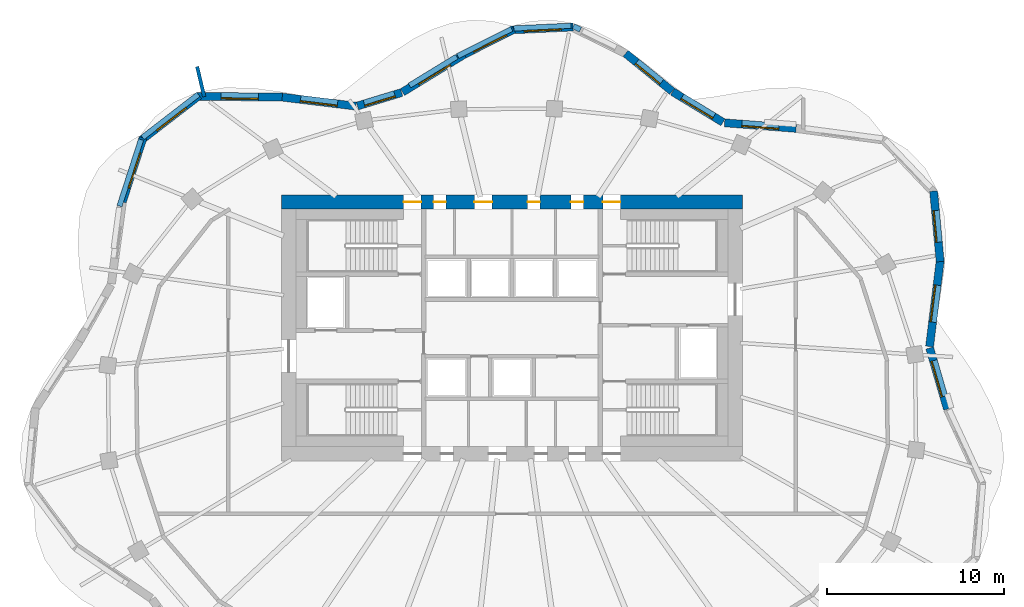
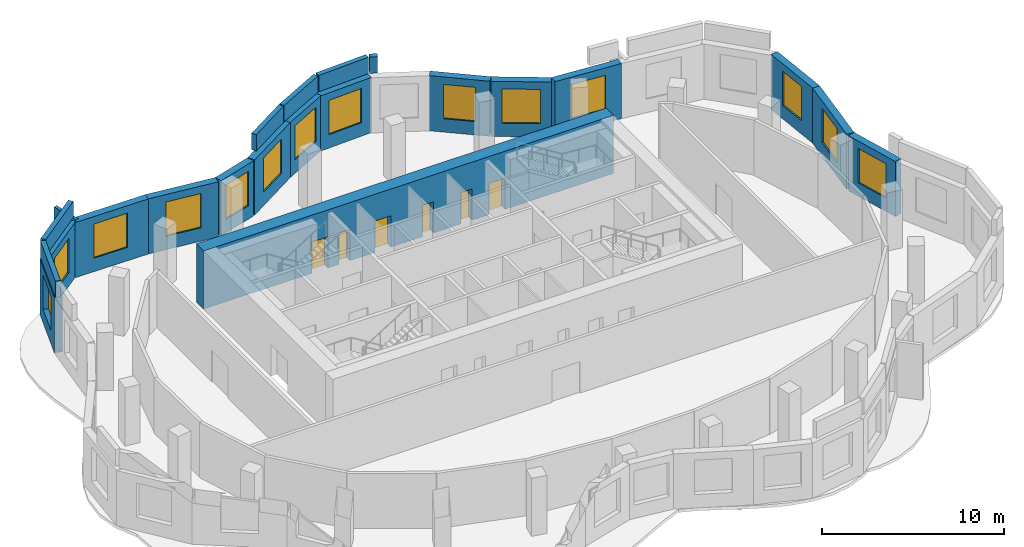
# One storey, part 6 of 8: 22 walls, 14 windows, 6 doors, 20 openings.
"""IFC4 building model written with IfcOpenShell, lengths in metres."""

from ifc_helpers import new_model, si_unit, direction, frame, frame_2d, origin, place, context, subcontext, project, spatial, rectangle, extrude, material, layer, layer_set, type_object, element, fill, save


model = new_model("IFC4")

# Units and contexts
model_context = context("Model", 3, precision=1e-05, world=origin(), true_north=direction((0.0, 1.0)))
body_context = subcontext(model_context, "Body", "Model", "MODEL_VIEW")
ifc_project = project(units=[si_unit("LENGTHUNIT", "METRE"), si_unit("AREAUNIT", "SQUARE_METRE"), si_unit("VOLUMEUNIT", "CUBIC_METRE"), si_unit("PLANEANGLEUNIT", "RADIAN"), si_unit("MASSUNIT", "GRAM", prefix="KILO")], contexts=[model_context])

# Site, building, storey
site_placement = place(None, origin())
site = spatial("IfcSite", under=ifc_project, at=site_placement, CompositionType="ELEMENT")
building_placement = place(site_placement, origin())
building = spatial("IfcBuilding", under=site, at=building_placement, Name="Rubra Terraces Tower", CompositionType="ELEMENT")
storey_placement = place(building_placement, frame((0.0, 0.0, 280.5)))
storey = spatial("IfcBuildingStorey", under=building, at=storey_placement, Name="L69", CompositionType="ELEMENT", Elevation=280.5)

# Wall, opening, window
ifc_material_1 = material(Name="Brick masonry red-brown", Category="masonry")
ifc_layer_1 = layer(ifc_material_1, 0.449951171875)
ifc_layer_set_1 = layer_set([ifc_layer_1], Name="Brick masonry red-brown")
wall_type_1 = type_object("IfcWallType", Name="Brick facade wall 450", PredefinedType="SOLIDWALL", material=ifc_layer_set_1)
wall_1_placement = place(storey_placement, frame((24.56689453125, -0.082275390625, 0.0), z_axis=(0.0, 0.0, 1.0), x_axis=(-0.279202919694, 0.960232122788, 0.0)))
wall_1 = element("IfcWall", 1, at=wall_1_placement, inside=storey, type_object=wall_type_1, Name="Facade wall L69 bay 1", PredefinedType="SOLIDWALL", context=body_context, shape_type="SweptSolid", body=[
    extrude(rectangle(XDim=3.587646484375, YDim=0.449951171875, at=frame_2d((1.7939453125, 0.0))), origin(), (0.0, 0.0, 1.0), 3.699951171875),
])
opening_1_placement = place(wall_1_placement, frame((0.743896484375, 0.0, 0.89990234375)))
opening_1 = element("IfcOpeningElement", 2, at=opening_1_placement, cuts=wall_1, Name="Opening W1B", PredefinedType="OPENING", context=body_context, shape_type="SweptSolid", body=[
    extrude(rectangle(XDim=2.10009765625, YDim=2.300048828125, at=frame_2d((1.050048828125, 1.14990234375))), frame((0.0, 0.23486328125, 0.0), z_axis=(0.0, -1.0, 0.0), x_axis=(1.0, 0.0, 0.0)), (0.0, 0.0, 1.0), 0.469970703125),
])
ifc_material_2 = material(Name="Clear glass in aluminium frame", Category="aluminium")
window_type_1 = type_object("IfcWindowType", Name="Fixed deep-set window tall storey 2100 x 2300", PartitioningType="SINGLE_PANEL", PredefinedType="WINDOW", material=ifc_material_2)
window_1_placement = place(opening_1_placement, origin())
window_1 = element("IfcWindow", 3, at=window_1_placement, inside=storey, type_object=window_type_1, Name="Window L69 bay 1", OverallHeight=2.300048828125, OverallWidth=2.10009765625, PartitioningType="SINGLE_PANEL", PredefinedType="WINDOW", context=body_context, shape_type="SweptSolid", body=[
    extrude(rectangle(XDim=2.10009765625, YDim=2.300048828125, at=frame_2d((1.050048828125, 1.14990234375))), frame((0.0, 0.135009765625, 0.0), z_axis=(0.0, -1.0, 0.0), x_axis=(1.0, 0.0, 0.0)), (0.0, 0.0, 1.0), 0.06005859375),
])
fill(opening_1, window_1)

wall_2_placement = place(storey_placement, frame((23.559814453125, 3.447021484375, 0.0), z_axis=(0.0, 0.0, 1.0), x_axis=(0.12231391248, 0.992491464353, 0.0)))
wall_2 = element("IfcWall", 4, at=wall_2_placement, inside=storey, type_object=wall_type_1, Name="Facade wall L69 bay 2", PredefinedType="SOLIDWALL", context=body_context, shape_type="SweptSolid", body=[
    extrude(rectangle(XDim=4.872314453125, YDim=0.449951171875, at=frame_2d((2.43603515625, 0.0))), origin(), (0.0, 0.0, 1.0), 3.699951171875),
])
opening_2_placement = place(wall_2_placement, frame((1.38623046875, 0.0, 0.89990234375)))
opening_2 = element("IfcOpeningElement", 5, at=opening_2_placement, cuts=wall_2, Name="Opening W1B", PredefinedType="OPENING", context=body_context, shape_type="SweptSolid", body=[
    extrude(rectangle(XDim=2.10009765625, YDim=2.300048828125, at=frame_2d((1.050048828125, 1.14990234375))), frame((0.0, 0.23486328125, 0.0), z_axis=(0.0, -1.0, 0.0), x_axis=(1.0, 0.0, 0.0)), (0.0, 0.0, 1.0), 0.469970703125),
])
window_2_placement = place(opening_2_placement, origin())
window_2 = element("IfcWindow", 6, at=window_2_placement, inside=storey, type_object=window_type_1, Name="Window L69 bay 2", OverallHeight=2.300048828125, OverallWidth=2.10009765625, PartitioningType="SINGLE_PANEL", PredefinedType="WINDOW", context=body_context, shape_type="SweptSolid", body=[
    extrude(rectangle(XDim=2.10009765625, YDim=2.300048828125, at=frame_2d((1.050048828125, 1.14990234375))), frame((0.0, 0.135009765625, 0.0), z_axis=(0.0, -1.0, 0.0), x_axis=(1.0, 0.0, 0.0)), (0.0, 0.0, 1.0), 0.06005859375),
])
fill(opening_2, window_2)

wall_3_placement = place(storey_placement, frame((24.155029296875, 8.234619140625, 0.0), z_axis=(0.0, 0.0, 1.0), x_axis=(-0.091874058945, 0.995770634882, 0.0)))
wall_3 = element("IfcWall", 7, at=wall_3_placement, inside=storey, type_object=wall_type_1, Name="Facade wall L69 bay 3", PredefinedType="SOLIDWALL", context=body_context, shape_type="SweptSolid", body=[
    extrude(rectangle(XDim=3.99658203125, YDim=0.449951171875, at=frame_2d((1.998291015625, 0.0))), origin(), (0.0, 0.0, 1.0), 3.699951171875),
])
opening_3_placement = place(wall_3_placement, frame((1.098388671875, 0.0, 0.89990234375)))
opening_3 = element("IfcOpeningElement", 8, at=opening_3_placement, cuts=wall_3, Name="Opening W6B", PredefinedType="OPENING", context=body_context, shape_type="SweptSolid", body=[
    extrude(rectangle(XDim=1.800048828125, YDim=2.300048828125, at=frame_2d((0.89990234375, 1.14990234375))), frame((0.0, 0.23486328125, 0.0), z_axis=(0.0, -1.0, 0.0), x_axis=(1.0, 0.0, 0.0)), (0.0, 0.0, 1.0), 0.469970703125),
])
window_type_2 = type_object("IfcWindowType", Name="Fixed deep-set window at wind fin tall storey 1800 x 2300", PartitioningType="SINGLE_PANEL", PredefinedType="WINDOW", material=ifc_material_2)
window_3_placement = place(opening_3_placement, origin())
window_3 = element("IfcWindow", 9, at=window_3_placement, inside=storey, type_object=window_type_2, Name="Window L69 bay 3", OverallHeight=2.300048828125, OverallWidth=1.800048828125, PartitioningType="SINGLE_PANEL", PredefinedType="WINDOW", context=body_context, shape_type="SweptSolid", body=[
    extrude(rectangle(XDim=1.800048828125, YDim=2.300048828125, at=frame_2d((0.89990234375, 1.14990234375))), frame((0.0, 0.135009765625, 0.0), z_axis=(0.0, -1.0, 0.0), x_axis=(1.0, 0.0, 0.0)), (0.0, 0.0, 1.0), 0.06005859375),
])
fill(opening_3, window_3)

wall_4_placement = place(storey_placement, frame((16.0302734375, 15.751953125, 0.0), z_axis=(0.0, 0.0, 1.0), x_axis=(-0.996967628157, 0.077817404267, 0.0)))
wall_4 = element("IfcWall", 10, at=wall_4_placement, inside=storey, type_object=wall_type_1, Name="Facade wall L69 bay 6", PredefinedType="SOLIDWALL", context=body_context, shape_type="SweptSolid", body=[
    extrude(rectangle(XDim=4.047119140625, YDim=0.449951171875, at=frame_2d((2.0234375, 0.0))), origin(), (0.0, 0.0, 1.0), 3.699951171875),
])
opening_4_placement = place(wall_4_placement, frame((0.9736328125, 0.0, 0.89990234375)))
opening_4 = element("IfcOpeningElement", 11, at=opening_4_placement, cuts=wall_4, Name="Opening W1B", PredefinedType="OPENING", context=body_context, shape_type="SweptSolid", body=[
    extrude(rectangle(XDim=2.10009765625, YDim=2.300048828125, at=frame_2d((1.050048828125, 1.14990234375))), frame((0.0, 0.23486328125, 0.0), z_axis=(0.0, -1.0, 0.0), x_axis=(1.0, 0.0, 0.0)), (0.0, 0.0, 1.0), 0.469970703125),
])
window_4_placement = place(opening_4_placement, origin())
window_4 = element("IfcWindow", 12, at=window_4_placement, inside=storey, type_object=window_type_1, Name="Window L69 bay 6", OverallHeight=2.300048828125, OverallWidth=2.10009765625, PartitioningType="SINGLE_PANEL", PredefinedType="WINDOW", context=body_context, shape_type="SweptSolid", body=[
    extrude(rectangle(XDim=2.10009765625, YDim=2.300048828125, at=frame_2d((1.050048828125, 1.14990234375))), frame((0.0, 0.135009765625, 0.0), z_axis=(0.0, -1.0, 0.0), x_axis=(1.0, 0.0, 0.0)), (0.0, 0.0, 1.0), 0.06005859375),
])
fill(opening_4, window_4)

wall_5_placement = place(storey_placement, frame((11.904541015625, 16.09619140625, 0.0), z_axis=(0.0, 0.0, 1.0), x_axis=(-0.854609476155, 0.519271261738, 0.0)))
wall_5 = element("IfcWall", 13, at=wall_5_placement, inside=storey, type_object=wall_type_1, Name="Facade wall L69 bay 7", PredefinedType="SOLIDWALL", context=body_context, shape_type="SweptSolid", body=[
    extrude(rectangle(XDim=3.324951171875, YDim=0.449951171875, at=frame_2d((1.66259765625, 0.0))), origin(), (0.0, 0.0, 1.0), 3.699951171875),
])
opening_5_placement = place(wall_5_placement, frame((0.6123046875, 0.0, 0.89990234375)))
opening_5 = element("IfcOpeningElement", 14, at=opening_5_placement, cuts=wall_5, Name="Opening W1B", PredefinedType="OPENING", context=body_context, shape_type="SweptSolid", body=[
    extrude(rectangle(XDim=2.10009765625, YDim=2.300048828125, at=frame_2d((1.050048828125, 1.14990234375))), frame((0.0, 0.23486328125, 0.0), z_axis=(0.0, -1.0, 0.0), x_axis=(1.0, 0.0, 0.0)), (0.0, 0.0, 1.0), 0.469970703125),
])
window_5_placement = place(opening_5_placement, origin())
window_5 = element("IfcWindow", 15, at=window_5_placement, inside=storey, type_object=window_type_1, Name="Window L69 bay 7", OverallHeight=2.300048828125, OverallWidth=2.10009765625, PartitioningType="SINGLE_PANEL", PredefinedType="WINDOW", context=body_context, shape_type="SweptSolid", body=[
    extrude(rectangle(XDim=2.10009765625, YDim=2.300048828125, at=frame_2d((1.050048828125, 1.14990234375))), frame((0.0, 0.135009765625, 0.0), z_axis=(0.0, -1.0, 0.0), x_axis=(1.0, 0.0, 0.0)), (0.0, 0.0, 1.0), 0.06005859375),
])
fill(opening_5, window_5)

wall_6_placement = place(storey_placement, frame((9.037109375, 17.84033203125, 0.0), z_axis=(0.0, 0.0, 1.0), x_axis=(-0.774810240287, 0.632193871804, 0.0)))
wall_6 = element("IfcWall", 16, at=wall_6_placement, inside=storey, type_object=wall_type_1, Name="Facade wall L69 bay 8", PredefinedType="SOLIDWALL", context=body_context, shape_type="SweptSolid", body=[
    extrude(rectangle(XDim=3.389404296875, YDim=0.449951171875, at=frame_2d((1.69482421875, 0.0))), origin(), (0.0, 0.0, 1.0), 3.699951171875),
])
opening_6_placement = place(wall_6_placement, frame((0.794677734375, 0.0, 0.89990234375)))
opening_6 = element("IfcOpeningElement", 17, at=opening_6_placement, cuts=wall_6, Name="Opening W6B", PredefinedType="OPENING", context=body_context, shape_type="SweptSolid", body=[
    extrude(rectangle(XDim=1.800048828125, YDim=2.300048828125, at=frame_2d((0.89990234375, 1.14990234375))), frame((0.0, 0.23486328125, 0.0), z_axis=(0.0, -1.0, 0.0), x_axis=(1.0, 0.0, 0.0)), (0.0, 0.0, 1.0), 0.469970703125),
])
window_6_placement = place(opening_6_placement, origin())
window_6 = element("IfcWindow", 18, at=window_6_placement, inside=storey, type_object=window_type_2, Name="Window L69 bay 8", OverallHeight=2.300048828125, OverallWidth=1.800048828125, PartitioningType="SINGLE_PANEL", PredefinedType="WINDOW", context=body_context, shape_type="SweptSolid", body=[
    extrude(rectangle(XDim=1.800048828125, YDim=2.300048828125, at=frame_2d((0.89990234375, 1.14990234375))), frame((0.0, 0.135009765625, 0.0), z_axis=(0.0, -1.0, 0.0), x_axis=(1.0, 0.0, 0.0)), (0.0, 0.0, 1.0), 0.06005859375),
])
fill(opening_6, window_6)

wall_7_placement = place(storey_placement, frame((3.447509765625, 21.47314453125, 0.0), z_axis=(0.0, 0.0, 1.0), x_axis=(-0.998906179907, -0.046759424106, 0.0)))
wall_7 = element("IfcWall", 19, at=wall_7_placement, inside=storey, type_object=wall_type_1, Name="Facade wall L69 bay 10", PredefinedType="SOLIDWALL", context=body_context, shape_type="SweptSolid", body=[
    extrude(rectangle(XDim=3.440673828125, YDim=0.449951171875, at=frame_2d((1.72021484375, 0.0))), origin(), (0.0, 0.0, 1.0), 3.699951171875),
])
opening_7_placement = place(wall_7_placement, frame((0.67041015625, 0.0, 0.89990234375)))
opening_7 = element("IfcOpeningElement", 20, at=opening_7_placement, cuts=wall_7, Name="Opening W1B", PredefinedType="OPENING", context=body_context, shape_type="SweptSolid", body=[
    extrude(rectangle(XDim=2.10009765625, YDim=2.300048828125, at=frame_2d((1.050048828125, 1.14990234375))), frame((0.0, 0.23486328125, 0.0), z_axis=(0.0, -1.0, 0.0), x_axis=(1.0, 0.0, 0.0)), (0.0, 0.0, 1.0), 0.469970703125),
])
window_7_placement = place(opening_7_placement, origin())
window_7 = element("IfcWindow", 21, at=window_7_placement, inside=storey, type_object=window_type_1, Name="Window L69 bay 10", OverallHeight=2.300048828125, OverallWidth=2.10009765625, PartitioningType="SINGLE_PANEL", PredefinedType="WINDOW", context=body_context, shape_type="SweptSolid", body=[
    extrude(rectangle(XDim=2.10009765625, YDim=2.300048828125, at=frame_2d((1.050048828125, 1.14990234375))), frame((0.0, 0.135009765625, 0.0), z_axis=(0.0, -1.0, 0.0), x_axis=(1.0, 0.0, 0.0)), (0.0, 0.0, 1.0), 0.06005859375),
])
fill(opening_7, window_7)

wall_8_placement = place(storey_placement, frame((0.10107421875, 21.3359375, 0.0), z_axis=(0.0, 0.0, 1.0), x_axis=(-0.893517109669, -0.449029146859, 0.0)))
wall_8 = element("IfcWall", 22, at=wall_8_placement, inside=storey, type_object=wall_type_1, Name="Facade wall L69 bay 11", PredefinedType="SOLIDWALL", context=body_context, shape_type="SweptSolid", body=[
    extrude(rectangle(XDim=3.1181640625, YDim=0.449951171875, at=frame_2d((1.55908203125, 0.0))), origin(), (0.0, 0.0, 1.0), 3.699951171875),
])
opening_8_placement = place(wall_8_placement, frame((0.509033203125, 0.0, 0.89990234375)))
opening_8 = element("IfcOpeningElement", 23, at=opening_8_placement, cuts=wall_8, Name="Opening W1B", PredefinedType="OPENING", context=body_context, shape_type="SweptSolid", body=[
    extrude(rectangle(XDim=2.10009765625, YDim=2.300048828125, at=frame_2d((1.050048828125, 1.14990234375))), frame((0.0, 0.23486328125, 0.0), z_axis=(0.0, -1.0, 0.0), x_axis=(1.0, 0.0, 0.0)), (0.0, 0.0, 1.0), 0.469970703125),
])
window_8_placement = place(opening_8_placement, origin())
window_8 = element("IfcWindow", 24, at=window_8_placement, inside=storey, type_object=window_type_1, Name="Window L69 bay 11", OverallHeight=2.300048828125, OverallWidth=2.10009765625, PartitioningType="SINGLE_PANEL", PredefinedType="WINDOW", context=body_context, shape_type="SweptSolid", body=[
    extrude(rectangle(XDim=2.10009765625, YDim=2.300048828125, at=frame_2d((1.050048828125, 1.14990234375))), frame((0.0, 0.135009765625, 0.0), z_axis=(0.0, -1.0, 0.0), x_axis=(1.0, 0.0, 0.0)), (0.0, 0.0, 1.0), 0.06005859375),
])
fill(opening_8, window_8)

wall_9_placement = place(storey_placement, frame((-2.668701171875, 19.945068359375, 0.0), z_axis=(0.0, 0.0, 1.0), x_axis=(-0.852919259017, -0.522042850346, 0.0)))
wall_9 = element("IfcWall", 25, at=wall_9_placement, inside=storey, type_object=wall_type_1, Name="Facade wall L69 bay 12", PredefinedType="SOLIDWALL", context=body_context, shape_type="SweptSolid", body=[
    extrude(rectangle(XDim=4.113525390625, YDim=0.449951171875, at=frame_2d((2.056640625, 0.0))), origin(), (0.0, 0.0, 1.0), 3.699951171875),
])
opening_9_placement = place(wall_9_placement, frame((1.0068359375, 0.0, 0.89990234375)))
opening_9 = element("IfcOpeningElement", 26, at=opening_9_placement, cuts=wall_9, Name="Opening W1B", PredefinedType="OPENING", context=body_context, shape_type="SweptSolid", body=[
    extrude(rectangle(XDim=2.10009765625, YDim=2.300048828125, at=frame_2d((1.050048828125, 1.14990234375))), frame((0.0, 0.23486328125, 0.0), z_axis=(0.0, -1.0, 0.0), x_axis=(1.0, 0.0, 0.0)), (0.0, 0.0, 1.0), 0.469970703125),
])
window_9_placement = place(opening_9_placement, origin())
window_9 = element("IfcWindow", 27, at=window_9_placement, inside=storey, type_object=window_type_1, Name="Window L69 bay 12", OverallHeight=2.300048828125, OverallWidth=2.10009765625, PartitioningType="SINGLE_PANEL", PredefinedType="WINDOW", context=body_context, shape_type="SweptSolid", body=[
    extrude(rectangle(XDim=2.10009765625, YDim=2.300048828125, at=frame_2d((1.050048828125, 1.14990234375))), frame((0.0, 0.135009765625, 0.0), z_axis=(0.0, -1.0, 0.0), x_axis=(1.0, 0.0, 0.0)), (0.0, 0.0, 1.0), 0.06005859375),
])
fill(opening_9, window_9)

wall_10_placement = place(storey_placement, frame((-6.229248046875, 17.774169921875, 0.0), z_axis=(0.0, 0.0, 1.0), x_axis=(-0.95663749396, -0.291281144515, 0.0)))
wall_10 = element("IfcWall", 28, at=wall_10_placement, inside=storey, type_object=wall_type_1, Name="Facade wall L69 bay 13", PredefinedType="SOLIDWALL", context=body_context, shape_type="SweptSolid", body=[
    extrude(rectangle(XDim=2.600830078125, YDim=0.449951171875, at=frame_2d((1.30029296875, 0.0))), origin(), (0.0, 0.0, 1.0), 3.699951171875),
])
opening_10_placement = place(wall_10_placement, frame((0.400390625, 0.0, 0.89990234375)))
opening_10 = element("IfcOpeningElement", 29, at=opening_10_placement, cuts=wall_10, Name="Opening W6B", PredefinedType="OPENING", context=body_context, shape_type="SweptSolid", body=[
    extrude(rectangle(XDim=1.800048828125, YDim=2.300048828125, at=frame_2d((0.89990234375, 1.14990234375))), frame((0.0, 0.23486328125, 0.0), z_axis=(0.0, -1.0, 0.0), x_axis=(1.0, 0.0, 0.0)), (0.0, 0.0, 1.0), 0.469970703125),
])
window_10_placement = place(opening_10_placement, origin())
window_10 = element("IfcWindow", 30, at=window_10_placement, inside=storey, type_object=window_type_2, Name="Window L69 bay 13", OverallHeight=2.300048828125, OverallWidth=1.800048828125, PartitioningType="SINGLE_PANEL", PredefinedType="WINDOW", context=body_context, shape_type="SweptSolid", body=[
    extrude(rectangle(XDim=1.800048828125, YDim=2.300048828125, at=frame_2d((0.89990234375, 1.14990234375))), frame((0.0, 0.135009765625, 0.0), z_axis=(0.0, -1.0, 0.0), x_axis=(1.0, 0.0, 0.0)), (0.0, 0.0, 1.0), 0.06005859375),
])
fill(opening_10, window_10)

wall_11_placement = place(storey_placement, frame((-8.806884765625, 17.00830078125, 0.0), z_axis=(0.0, 0.0, 1.0), x_axis=(-0.992654419289, 0.120984312483, 0.0)))
wall_11 = element("IfcWall", 31, at=wall_11_placement, inside=storey, type_object=wall_type_1, Name="Facade wall L69 bay 14", PredefinedType="SOLIDWALL", context=body_context, shape_type="SweptSolid", body=[
    extrude(rectangle(XDim=4.187255859375, YDim=0.449951171875, at=frame_2d((2.09375, 0.0))), origin(), (0.0, 0.0, 1.0), 3.699951171875),
])
opening_11_placement = place(wall_11_placement, frame((1.043701171875, 0.0, 0.89990234375)))
opening_11 = element("IfcOpeningElement", 32, at=opening_11_placement, cuts=wall_11, Name="Opening W1B", PredefinedType="OPENING", context=body_context, shape_type="SweptSolid", body=[
    extrude(rectangle(XDim=2.10009765625, YDim=2.300048828125, at=frame_2d((1.050048828125, 1.14990234375))), frame((0.0, 0.23486328125, 0.0), z_axis=(0.0, -1.0, 0.0), x_axis=(1.0, 0.0, 0.0)), (0.0, 0.0, 1.0), 0.469970703125),
])
window_11_placement = place(opening_11_placement, origin())
window_11 = element("IfcWindow", 33, at=window_11_placement, inside=storey, type_object=window_type_1, Name="Window L69 bay 14", OverallHeight=2.300048828125, OverallWidth=2.10009765625, PartitioningType="SINGLE_PANEL", PredefinedType="WINDOW", context=body_context, shape_type="SweptSolid", body=[
    extrude(rectangle(XDim=2.10009765625, YDim=2.300048828125, at=frame_2d((1.050048828125, 1.14990234375))), frame((0.0, 0.135009765625, 0.0), z_axis=(0.0, -1.0, 0.0), x_axis=(1.0, 0.0, 0.0)), (0.0, 0.0, 1.0), 0.06005859375),
])
fill(opening_11, window_11)

wall_12_placement = place(storey_placement, frame((-12.93896484375, 17.513671875, 0.0), z_axis=(0.0, 0.0, 1.0), x_axis=(-0.999950280333, 0.00997180335, 0.0)))
wall_12 = element("IfcWall", 34, at=wall_12_placement, inside=storey, type_object=wall_type_1, Name="Facade wall L69 bay 15", PredefinedType="SOLIDWALL", context=body_context, shape_type="SweptSolid", body=[
    extrude(rectangle(XDim=4.84765625, YDim=0.449951171875, at=frame_2d((2.423828125, 0.0))), origin(), (0.0, 0.0, 1.0), 3.699951171875),
])
opening_12_placement = place(wall_12_placement, frame((1.373779296875, 0.0, 0.89990234375)))
opening_12 = element("IfcOpeningElement", 35, at=opening_12_placement, cuts=wall_12, Name="Opening W1B", PredefinedType="OPENING", context=body_context, shape_type="SweptSolid", body=[
    extrude(rectangle(XDim=2.10009765625, YDim=2.300048828125, at=frame_2d((1.050048828125, 1.14990234375))), frame((0.0, 0.23486328125, 0.0), z_axis=(0.0, -1.0, 0.0), x_axis=(1.0, 0.0, 0.0)), (0.0, 0.0, 1.0), 0.469970703125),
])
window_12_placement = place(opening_12_placement, origin())
window_12 = element("IfcWindow", 36, at=window_12_placement, inside=storey, type_object=window_type_1, Name="Window L69 bay 15", OverallHeight=2.300048828125, OverallWidth=2.10009765625, PartitioningType="SINGLE_PANEL", PredefinedType="WINDOW", context=body_context, shape_type="SweptSolid", body=[
    extrude(rectangle(XDim=2.10009765625, YDim=2.300048828125, at=frame_2d((1.050048828125, 1.14990234375))), frame((0.0, 0.135009765625, 0.0), z_axis=(0.0, -1.0, 0.0), x_axis=(1.0, 0.0, 0.0)), (0.0, 0.0, 1.0), 0.06005859375),
])
fill(opening_12, window_12)

wall_13_placement = place(storey_placement, frame((-17.6494140625, 17.60888671875, 0.0), z_axis=(0.0, 0.0, 1.0), x_axis=(-0.791693388686, -0.610918634771, 0.0)))
wall_13 = element("IfcWall", 37, at=wall_13_placement, inside=storey, type_object=wall_type_1, Name="Facade wall L69 bay 16", PredefinedType="SOLIDWALL", context=body_context, shape_type="SweptSolid", body=[
    extrude(rectangle(XDim=4.10009765625, YDim=0.449951171875, at=frame_2d((2.050048828125, 0.0))), origin(), (0.0, 0.0, 1.0), 3.699951171875),
])
opening_13_placement = place(wall_13_placement, frame((1.0, 0.0, 0.89990234375)))
opening_13 = element("IfcOpeningElement", 38, at=opening_13_placement, cuts=wall_13, Name="Opening W1B", PredefinedType="OPENING", context=body_context, shape_type="SweptSolid", body=[
    extrude(rectangle(XDim=2.10009765625, YDim=2.300048828125, at=frame_2d((1.050048828125, 1.14990234375))), frame((0.0, 0.23486328125, 0.0), z_axis=(0.0, -1.0, 0.0), x_axis=(1.0, 0.0, 0.0)), (0.0, 0.0, 1.0), 0.469970703125),
])
window_13_placement = place(opening_13_placement, origin())
window_13 = element("IfcWindow", 39, at=window_13_placement, inside=storey, type_object=window_type_1, Name="Window L69 bay 16", OverallHeight=2.300048828125, OverallWidth=2.10009765625, PartitioningType="SINGLE_PANEL", PredefinedType="WINDOW", context=body_context, shape_type="SweptSolid", body=[
    extrude(rectangle(XDim=2.10009765625, YDim=2.300048828125, at=frame_2d((1.050048828125, 1.14990234375))), frame((0.0, 0.135009765625, 0.0), z_axis=(0.0, -1.0, 0.0), x_axis=(1.0, 0.0, 0.0)), (0.0, 0.0, 1.0), 0.06005859375),
])
fill(opening_13, window_13)

wall_14_placement = place(storey_placement, frame((-20.819091796875, 15.212646484375, 0.0), z_axis=(0.0, 0.0, 1.0), x_axis=(-0.308282259578, -0.95129493241, 0.0)))
wall_14 = element("IfcWall", 40, at=wall_14_placement, inside=storey, type_object=wall_type_1, Name="Facade wall L69 bay 17", PredefinedType="SOLIDWALL", context=body_context, shape_type="SweptSolid", body=[
    extrude(rectangle(XDim=3.78466796875, YDim=0.449951171875, at=frame_2d((1.892333984375, 0.0))), origin(), (0.0, 0.0, 1.0), 3.699951171875),
])
opening_14_placement = place(wall_14_placement, frame((0.84228515625, 0.0, 0.89990234375)))
opening_14 = element("IfcOpeningElement", 41, at=opening_14_placement, cuts=wall_14, Name="Opening W1B", PredefinedType="OPENING", context=body_context, shape_type="SweptSolid", body=[
    extrude(rectangle(XDim=2.10009765625, YDim=2.300048828125, at=frame_2d((1.050048828125, 1.14990234375))), frame((0.0, 0.23486328125, 0.0), z_axis=(0.0, -1.0, 0.0), x_axis=(1.0, 0.0, 0.0)), (0.0, 0.0, 1.0), 0.469970703125),
])
window_14_placement = place(opening_14_placement, origin())
window_14 = element("IfcWindow", 42, at=window_14_placement, inside=storey, type_object=window_type_1, Name="Window L69 bay 17", OverallHeight=2.300048828125, OverallWidth=2.10009765625, PartitioningType="SINGLE_PANEL", PredefinedType="WINDOW", context=body_context, shape_type="SweptSolid", body=[
    extrude(rectangle(XDim=2.10009765625, YDim=2.300048828125, at=frame_2d((1.050048828125, 1.14990234375))), frame((0.0, 0.135009765625, 0.0), z_axis=(0.0, -1.0, 0.0), x_axis=(1.0, 0.0, 0.0)), (0.0, 0.0, 1.0), 0.06005859375),
])
fill(opening_14, window_14)

# Walls
ifc_layer_2 = layer(ifc_material_1, 0.300048828125)
ifc_layer_set_2 = layer_set([ifc_layer_2], Name="Brick masonry red-brown")
wall_type_2 = type_object("IfcWallType", Name="Brick parapet 300", PredefinedType="PARAPET", material=ifc_layer_set_2)
wall_15_placement = place(storey_placement, frame((3.864501953125, 21.319580078125, 3.89990234375), z_axis=(0.0, 0.0, 1.0), x_axis=(-0.896619334778, 0.442802177617, 0.0)))
element("IfcWall", 43, at=wall_15_placement, inside=storey, type_object=wall_type_2, Name="Parapet L69 bay 9", PredefinedType="PARAPET", context=body_context, shape_type="SweptSolid", body=[
    extrude(rectangle(XDim=0.443359375, YDim=0.300048828125, at=frame_2d((0.2216796875, 0.0))), origin(), (0.0, 0.0, 1.0), 1.10009765625),
])
wall_16_placement = place(storey_placement, frame((3.336669921875, 21.543212890625, 3.89990234375), z_axis=(0.0, 0.0, 1.0), x_axis=(-0.998904330634, -0.046798912812, 0.0)))
element("IfcWall", 44, at=wall_16_placement, inside=storey, type_object=wall_type_2, Name="Parapet L69 bay 10", PredefinedType="PARAPET", context=body_context, shape_type="SweptSolid", body=[
    extrude(rectangle(XDim=3.23974609375, YDim=0.300048828125, at=frame_2d((1.619873046875, 0.0))), origin(), (0.0, 0.0, 1.0), 1.10009765625),
])
wall_17_placement = place(storey_placement, frame((-0.016357421875, 21.36083984375, 3.89990234375), z_axis=(0.0, 0.0, 1.0), x_axis=(-0.893520711687, -0.44902197918, 0.0)))
element("IfcWall", 45, at=wall_17_placement, inside=storey, type_object=wall_type_2, Name="Parapet L69 bay 11", PredefinedType="PARAPET", context=body_context, shape_type="SweptSolid", body=[
    extrude(rectangle(XDim=3.400390625, YDim=0.300048828125, at=frame_2d((1.7001953125, 0.0))), origin(), (0.0, 0.0, 1.0), 1.10009765625),
])
wall_18_placement = place(storey_placement, frame((-3.117919921875, 19.798828125, 3.89990234375), z_axis=(0.0, 0.0, 1.0), x_axis=(-0.852922319554, -0.522037849975, 0.0)))
element("IfcWall", 46, at=wall_18_placement, inside=storey, type_object=wall_type_2, Name="Parapet L69 bay 12", PredefinedType="PARAPET", context=body_context, shape_type="SweptSolid", body=[
    extrude(rectangle(XDim=3.1240234375, YDim=0.300048828125, at=frame_2d((1.56201171875, 0.0))), origin(), (0.0, 0.0, 1.0), 1.10009765625),
])
wall_19_placement = place(storey_placement, frame((-17.697998046875, 17.666259765625, 3.89990234375), z_axis=(0.0, 0.0, 1.0), x_axis=(-0.791652356246, -0.610971805282, 0.0)))
element("IfcWall", 47, at=wall_19_placement, inside=storey, type_object=wall_type_2, Name="Parapet L69 bay 16", PredefinedType="PARAPET", context=body_context, shape_type="SweptSolid", body=[
    extrude(rectangle(XDim=3.973876953125, YDim=0.300048828125, at=frame_2d((1.98681640625, 0.0))), origin(), (0.0, 0.0, 1.0), 1.10009765625),
])
wall_20_placement = place(storey_placement, frame((-20.92822265625, 15.118896484375, 3.89990234375), z_axis=(0.0, 0.0, 1.0), x_axis=(-0.30831369753, -0.951284743868, 0.0)))
element("IfcWall", 48, at=wall_20_placement, inside=storey, type_object=wall_type_2, Name="Parapet L69 bay 17", PredefinedType="PARAPET", context=body_context, shape_type="SweptSolid", body=[
    extrude(rectangle(XDim=3.938720703125, YDim=0.300048828125, at=frame_2d((1.96923828125, 0.0))), origin(), (0.0, 0.0, 1.0), 1.10009765625),
])
ifc_layer_3 = layer(ifc_material_1, 0.199951171875)
ifc_layer_set_3 = layer_set([ifc_layer_3], Name="Brick masonry red-brown")
wall_type_3 = type_object("IfcWallType", Name="Brick wind fin 200", PredefinedType="SOLIDWALL", material=ifc_layer_set_3)
wall_21_placement = place(storey_placement, frame((-17.362060546875, 17.5380859375, 0.0), z_axis=(0.0, 0.0, 1.0), x_axis=(-0.230469860183, 0.973079464148, 0.0)))
element("IfcWall", 49, at=wall_21_placement, inside=storey, type_object=wall_type_3, Name="Wind fin L69 8", PredefinedType="SOLIDWALL", context=body_context, shape_type="SweptSolid", body=[
    extrude(rectangle(XDim=1.75, YDim=0.199951171875, at=frame_2d((0.875, 0.0))), origin(), (0.0, 0.0, 1.0), 3.699951171875),
])

# Wall, openings, doors
ifc_material_3 = material(Name="Concrete C50", Category="concrete")
ifc_layer_4 = layer(ifc_material_3, 0.800048828125)
ifc_layer_set_4 = layer_set([ifc_layer_4], Name="Concrete C50")
wall_type_4 = type_object("IfcWallType", Name="CORE WALL 800 C50", PredefinedType="SHEAR", material=ifc_layer_set_4)
wall_22_placement = place(storey_placement, frame((-13.0, 11.60009765625, 0.0), z_axis=(0.0, 0.0, 1.0), x_axis=(1.0, 0.0, 0.0)))
wall_22 = element("IfcWall", 50, at=wall_22_placement, inside=storey, type_object=wall_type_4, Name="CORE WALL N L69", PredefinedType="SHEAR", context=body_context, shape_type="SweptSolid", body=[
    extrude(rectangle(XDim=26.0, YDim=0.800048828125, at=frame_2d((13.0, 0.0))), origin(), (0.0, 0.0, 1.0), 3.89990234375),
])
opening_15_placement = place(wall_22_placement, frame((8.574951171875, 0.0, 0.0)))
opening_15 = element("IfcOpeningElement", 51, at=opening_15_placement, cuts=wall_22, Name="Opening L69.C19", PredefinedType="OPENING", context=body_context, shape_type="SweptSolid", body=[
    extrude(rectangle(XDim=0.699951171875, YDim=2.10009765625, at=frame_2d((0.35009765625, 1.050048828125))), frame((0.0, 0.409912109375, 0.0), z_axis=(0.0, -1.0, 0.0), x_axis=(1.0, 0.0, 0.0)), (0.0, 0.0, 1.0), 0.820068359375),
])
opening_16_placement = place(wall_22_placement, frame((10.875, 0.0, 0.0)))
opening_16 = element("IfcOpeningElement", 52, at=opening_16_placement, cuts=wall_22, Name="Opening L69.C20", PredefinedType="OPENING", context=body_context, shape_type="SweptSolid", body=[
    extrude(rectangle(XDim=1.0, YDim=2.10009765625, at=frame_2d((0.5, 1.050048828125))), frame((0.0, 0.409912109375, 0.0), z_axis=(0.0, -1.0, 0.0), x_axis=(1.0, 0.0, 0.0)), (0.0, 0.0, 1.0), 0.820068359375),
])
opening_17_placement = place(wall_22_placement, frame((13.875, 0.0, 0.0)))
opening_17 = element("IfcOpeningElement", 53, at=opening_17_placement, cuts=wall_22, Name="Opening L69.C21", PredefinedType="OPENING", context=body_context, shape_type="SweptSolid", body=[
    extrude(rectangle(XDim=0.699951171875, YDim=2.10009765625, at=frame_2d((0.35009765625, 1.050048828125))), frame((0.0, 0.409912109375, 0.0), z_axis=(0.0, -1.0, 0.0), x_axis=(1.0, 0.0, 0.0)), (0.0, 0.0, 1.0), 0.820068359375),
])
opening_18_placement = place(wall_22_placement, frame((16.324951171875, 0.0, 0.0)))
opening_18 = element("IfcOpeningElement", 54, at=opening_18_placement, cuts=wall_22, Name="Opening L69.C22", PredefinedType="OPENING", context=body_context, shape_type="SweptSolid", body=[
    extrude(rectangle(XDim=0.699951171875, YDim=2.10009765625, at=frame_2d((0.35009765625, 1.050048828125))), frame((0.0, 0.409912109375, 0.0), z_axis=(0.0, -1.0, 0.0), x_axis=(1.0, 0.0, 0.0)), (0.0, 0.0, 1.0), 0.820068359375),
])
opening_19_placement = place(wall_22_placement, frame((6.8798828125, 0.0, 0.0)))
opening_19 = element("IfcOpeningElement", 55, at=opening_19_placement, cuts=wall_22, Name="Opening L69.C24", PredefinedType="OPENING", context=body_context, shape_type="SweptSolid", body=[
    extrude(rectangle(XDim=1.0, YDim=2.10009765625, at=frame_2d((0.5, 1.050048828125))), frame((0.0, 0.409912109375, 0.0), z_axis=(0.0, -1.0, 0.0), x_axis=(1.0, 0.0, 0.0)), (0.0, 0.0, 1.0), 0.820068359375),
])
opening_20_placement = place(wall_22_placement, frame((18.1201171875, 0.0, 0.0)))
opening_20 = element("IfcOpeningElement", 56, at=opening_20_placement, cuts=wall_22, Name="Opening L69.C25", PredefinedType="OPENING", context=body_context, shape_type="SweptSolid", body=[
    extrude(rectangle(XDim=1.0, YDim=2.10009765625, at=frame_2d((0.5, 1.050048828125))), frame((0.0, 0.409912109375, 0.0), z_axis=(0.0, -1.0, 0.0), x_axis=(1.0, 0.0, 0.0)), (0.0, 0.0, 1.0), 0.820068359375),
])
ifc_material_4 = material(Name="Painted steel", Category="steel")
door_type_1 = type_object("IfcDoorType", Name="Fire door 1000x2100 single", OperationType="NOTDEFINED", PredefinedType="DOOR", material=ifc_material_4)
door_1_placement = place(opening_16_placement, origin())
door_1 = element("IfcDoor", 57, at=door_1_placement, inside=storey, type_object=door_type_1, Name="General store door", OperationType="SINGLE_SWING_RIGHT", OverallHeight=2.10009765625, OverallWidth=1.0, PredefinedType="DOOR", context=body_context, shape_type="SweptSolid", body=[
    extrude(rectangle(XDim=1.0, YDim=2.10009765625, at=frame_2d((0.5, 1.050048828125))), frame((0.0, 0.02490234375, 0.0), z_axis=(0.0, -1.0, 0.0), x_axis=(1.0, 0.0, 0.0)), (0.0, 0.0, 1.0), 0.050048828125),
])
fill(opening_16, door_1)
door_2_placement = place(opening_19_placement, origin())
door_2 = element("IfcDoor", 58, at=door_2_placement, inside=storey, type_object=door_type_1, Name="Stair S2 refuge door", OperationType="SINGLE_SWING_RIGHT", OverallHeight=2.10009765625, OverallWidth=1.0, PredefinedType="DOOR", context=body_context, shape_type="SweptSolid", body=[
    extrude(rectangle(XDim=1.0, YDim=2.10009765625, at=frame_2d((0.5, 1.050048828125))), frame((0.0, 0.02490234375, 0.0), z_axis=(0.0, -1.0, 0.0), x_axis=(1.0, 0.0, 0.0)), (0.0, 0.0, 1.0), 0.050048828125),
])
fill(opening_19, door_2)
door_3_placement = place(opening_20_placement, origin())
door_3 = element("IfcDoor", 59, at=door_3_placement, inside=storey, type_object=door_type_1, Name="Stair S3 refuge door", OperationType="SINGLE_SWING_LEFT", OverallHeight=2.10009765625, OverallWidth=1.0, PredefinedType="DOOR", context=body_context, shape_type="SweptSolid", body=[
    extrude(rectangle(XDim=1.0, YDim=2.10009765625, at=frame_2d((0.5, 1.050048828125))), frame((0.0, 0.02490234375, 0.0), z_axis=(0.0, -1.0, 0.0), x_axis=(1.0, 0.0, 0.0)), (0.0, 0.0, 1.0), 0.050048828125),
])
fill(opening_20, door_3)
door_type_2 = type_object("IfcDoorType", Name="Riser access door 700x2100 single", OperationType="NOTDEFINED", PredefinedType="DOOR", material=ifc_material_4)
door_4_placement = place(opening_15_placement, origin())
door_4 = element("IfcDoor", 60, at=door_4_placement, inside=storey, type_object=door_type_2, Name="Mechanical riser (water and drainage) door", OperationType="SINGLE_SWING_LEFT", OverallHeight=2.10009765625, OverallWidth=0.699951171875, PredefinedType="DOOR", context=body_context, shape_type="SweptSolid", body=[
    extrude(rectangle(XDim=0.699951171875, YDim=2.10009765625, at=frame_2d((0.35009765625, 1.050048828125))), frame((0.0, 0.02490234375, 0.0), z_axis=(0.0, -1.0, 0.0), x_axis=(1.0, 0.0, 0.0)), (0.0, 0.0, 1.0), 0.050048828125),
])
fill(opening_15, door_4)
door_5_placement = place(opening_17_placement, origin())
door_5 = element("IfcDoor", 61, at=door_5_placement, inside=storey, type_object=door_type_2, Name="Telecoms room door", OperationType="SINGLE_SWING_LEFT", OverallHeight=2.10009765625, OverallWidth=0.699951171875, PredefinedType="DOOR", context=body_context, shape_type="SweptSolid", body=[
    extrude(rectangle(XDim=0.699951171875, YDim=2.10009765625, at=frame_2d((0.35009765625, 1.050048828125))), frame((0.0, 0.02490234375, 0.0), z_axis=(0.0, -1.0, 0.0), x_axis=(1.0, 0.0, 0.0)), (0.0, 0.0, 1.0), 0.050048828125),
])
fill(opening_17, door_5)
door_6_placement = place(opening_18_placement, origin())
door_6 = element("IfcDoor", 62, at=door_6_placement, inside=storey, type_object=door_type_2, Name="M&E riser room door", OperationType="SINGLE_SWING_RIGHT", OverallHeight=2.10009765625, OverallWidth=0.699951171875, PredefinedType="DOOR", context=body_context, shape_type="SweptSolid", body=[
    extrude(rectangle(XDim=0.699951171875, YDim=2.10009765625, at=frame_2d((0.35009765625, 1.050048828125))), frame((0.0, 0.02490234375, 0.0), z_axis=(0.0, -1.0, 0.0), x_axis=(1.0, 0.0, 0.0)), (0.0, 0.0, 1.0), 0.050048828125),
])
fill(opening_18, door_6)

save(model, "model.ifc")
